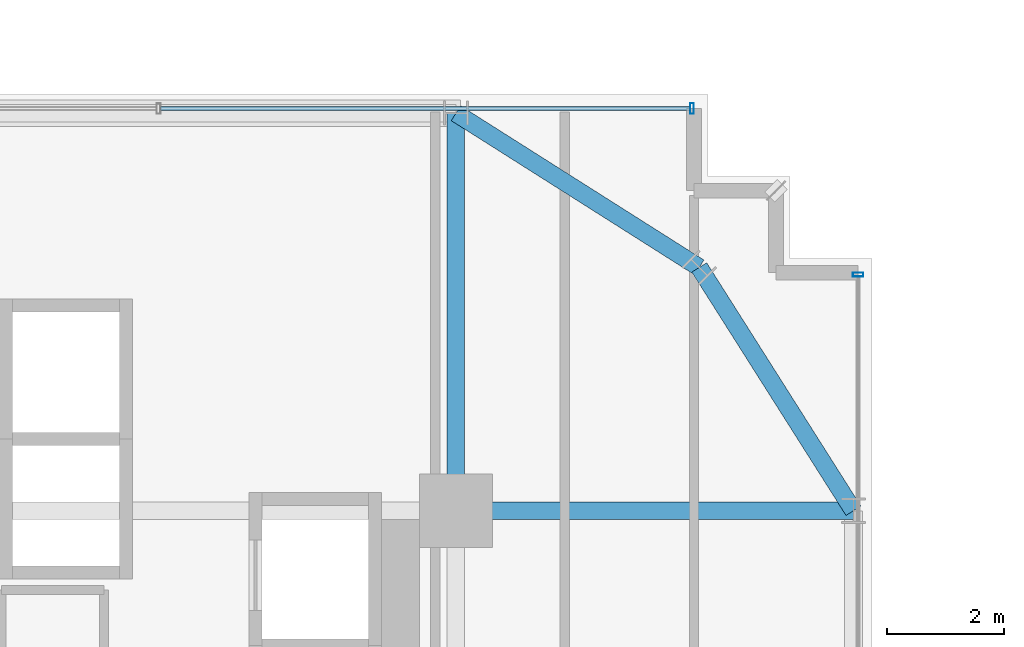
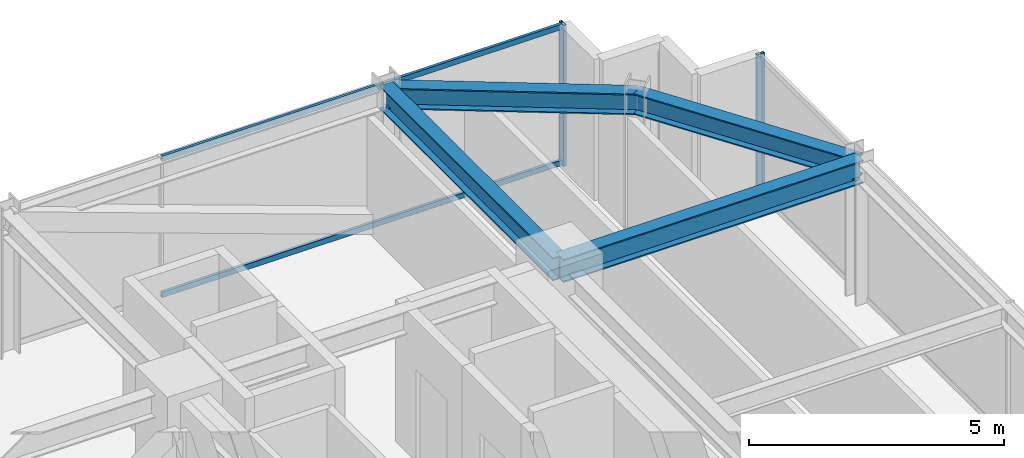
# One storey, part 25 of 41: 4 beams, 4 members, 2 elements without a shape of their own.
"""IFC4 building model written with IfcOpenShell, lengths in metres."""

from ifc_helpers import new_model, si_unit, direction, frame, origin, origin_2d, place, context, subcontext, project, spatial, hollow_rectangle, i_section, extrude, source, transform, mapped, material, material_profile, profile_set, type_object, element, aggregate, save


model = new_model("IFC4")

# Units and contexts
model_context = context("Model", 3, precision=1e-05, world=origin(), true_north=direction((0.0, 1.0)))
body_context = subcontext(model_context, "Body", "Model", "MODEL_VIEW")
ifc_project = project(units=[si_unit("LENGTHUNIT", "METRE"), si_unit("AREAUNIT", "SQUARE_METRE"), si_unit("VOLUMEUNIT", "CUBIC_METRE"), si_unit("PLANEANGLEUNIT", "RADIAN"), si_unit("MASSUNIT", "GRAM", prefix="KILO")], contexts=[model_context])

# Site, building, storey
site_placement = place(None, origin())
site = spatial("IfcSite", under=ifc_project, at=site_placement, CompositionType="ELEMENT")
building_placement = place(site_placement, origin())
building = spatial("IfcBuilding", under=site, at=building_placement, Name="Nahalor Promenade Grand Hotel", CompositionType="ELEMENT")
storey_placement = place(building_placement, frame((0.0, 0.0, 113.85009765625)))
storey = spatial("IfcBuildingStorey", under=building, at=storey_placement, Name="L28", CompositionType="ELEMENT", Elevation=113.85009765625)

# Beams
ifc_material_1 = material(Name="Steel S355JR", Category="steel")
ifc_material_profile_1 = material_profile(ifc_material_1, i_section(OverallWidth=0.3, OverallDepth=0.5, WebThickness=0.0145, FlangeThickness=0.028, at=origin_2d()), Name="HEB 500")
ifc_profile_set_1 = profile_set([ifc_material_profile_1], Name="Steel S355JR")
beam_type_1 = type_object("IfcBeamType", Name="Beam-Spandrel-HEB500", PredefinedType="SPANDREL", material=ifc_profile_set_1)
shared_shape_1 = source(origin(), body_context, "Body", "SweptSolid", [
    extrude(i_section(OverallWidth=0.3, OverallDepth=0.5, WebThickness=0.0145, FlangeThickness=0.028, at=origin_2d()), origin(), (0.0, 0.0, 1.0), 4.9130859375),
])
for number, where, z_axis, x_axis, name in (
    (1, (17.0, 23.780029296875, 3.1298828125), (0.844648325505, -0.535321591403, 0.0), (0.535321591403, 0.844648325505, 0.0), "BM-L28-SPC-NE-1"),
    (2, (21.14990234375, 21.14990234375, 3.1298828125), (0.535321591403, -0.844648325505, 0.0), (0.844648325505, 0.535321591403, 0.0), "BM-L28-SPC-NE-2"),
):
    element("IfcBeam", number, at=place(storey_placement, frame(where, z_axis=z_axis, x_axis=x_axis)), inside=storey, type_object=beam_type_1, Name=name, PredefinedType="SPANDREL", context=body_context, shape_type="MappedRepresentation", body=[
        mapped(shared_shape_1, transform((0.0, 0.0, 0.0), scale=1.0)),
    ])
ifc_material_profile_2 = material_profile(ifc_material_1, i_section(OverallWidth=0.3, OverallDepth=0.55, WebThickness=0.015, FlangeThickness=0.029, at=origin_2d()), Name="HEB 550")
ifc_profile_set_2 = profile_set([ifc_material_profile_2], Name="Steel S355JR")
beam_type_2 = type_object("IfcBeamType", Name="Beam-Girder-HEB550", PredefinedType="BEAM", material=ifc_profile_set_2)
shared_shape_2 = source(origin(), body_context, "Body", "SweptSolid", [
    extrude(i_section(OverallWidth=0.3, OverallDepth=0.55, WebThickness=0.015, FlangeThickness=0.029, at=origin_2d()), origin(), (0.0, 0.0, 1.0), 6.780029296875),
])
for number, where, z_axis, x_axis, name in (
    (3, (17.0, 17.0, 3.10498046875), (1.0, 0.0, 0.0), (0.0, 1.0, 0.0), "BM-L28-GX-3-6"),
    (4, (17.0, 17.0, 3.10498046875), (0.0, 1.0, 0.0), (-1.0, 0.0, 0.0), "BM-L28-GY-5-4"),
):
    element("IfcBeam", number, at=place(storey_placement, frame(where, z_axis=z_axis, x_axis=x_axis)), inside=storey, type_object=beam_type_2, Name=name, PredefinedType="BEAM", context=body_context, shape_type="MappedRepresentation", body=[
        mapped(shared_shape_2, transform((0.0, 0.0, 0.0), scale=1.0)),
    ])

# Curtain wall, member
ifc_material_2 = material(Name="Anodised Bronze Aluminium EN AW-6063 T6", Category="aluminium")
curtain_wall_type = type_object("IfcCurtainWallType", Name="CW2 Typical Hotel Flush Bronze Unitised Curtain Wall", PredefinedType="USERDEFINED", material=ifc_material_2)
curtain_wall_1_placement = place(storey_placement, origin())
curtain_wall_1 = element("IfcCurtainWall", 5, at=curtain_wall_1_placement, inside=storey, type_object=curtain_wall_type, Name="L28 Curtain Wall CW-L28-N-3", ObjectType="UNITISED_CURTAIN_WALL", PredefinedType="USERDEFINED")
ifc_material_profile_3 = material_profile(ifc_material_2, hollow_rectangle(XDim=0.065, YDim=0.18, WallThickness=0.004, at=origin_2d()), Name="CWM 65x180x4")
ifc_profile_set_3 = profile_set([ifc_material_profile_3], Name="Anodised Bronze Aluminium EN AW-6063 T6")
member_type_1 = type_object("IfcMemberType", Name="CWM2 Typical Bronze Mullion 65x180", PredefinedType="MULLION", material=ifc_profile_set_3)
shared_shape_3 = source(origin(), body_context, "Body", "SweptSolid", [
    extrude(hollow_rectangle(XDim=0.065, YDim=0.18, WallThickness=0.004, at=origin_2d()), origin(), (0.0, 0.0, 1.0), 3.3798828125),
])
member_1_placement = place(storey_placement, frame((21.027587890625, 23.860107421875, 0.0), z_axis=(0.0, 0.0, 1.0), x_axis=(1.0, 0.0, 0.0)))
member_1 = element("IfcMember", 6, at=member_1_placement, type_object=member_type_1, Name="CW-L28-N-3 Mullion 2", PredefinedType="MULLION", context=body_context, shape_type="MappedRepresentation", body=[
    mapped(shared_shape_3, transform((0.0, 0.0, 0.0), scale=1.0)),
])

curtain_wall_2_placement = place(storey_placement, origin())
curtain_wall_2 = element("IfcCurtainWall", 7, at=curtain_wall_2_placement, inside=storey, type_object=curtain_wall_type, Name="L28 Curtain Wall CW-L28-E-3", ObjectType="UNITISED_CURTAIN_WALL", PredefinedType="USERDEFINED")
member_2_placement = place(storey_placement, frame((23.860107421875, 21.027587890625, 0.0), z_axis=(0.0, 0.0, 1.0), x_axis=(0.0, 1.0, 0.0)))
member_2 = element("IfcMember", 8, at=member_2_placement, type_object=member_type_1, Name="CW-L28-E-3 Mullion 3", PredefinedType="MULLION", context=body_context, shape_type="MappedRepresentation", body=[
    mapped(shared_shape_3, transform((0.0, 0.0, 0.0), scale=1.0)),
])
aggregate(curtain_wall_2, [member_2])

# Member
ifc_material_profile_4 = material_profile(ifc_material_2, hollow_rectangle(XDim=0.065, YDim=0.13, WallThickness=0.004, at=origin_2d()), Name="CWT 65x130x4")
ifc_profile_set_4 = profile_set([ifc_material_profile_4], Name="Anodised Bronze Aluminium EN AW-6063 T6")
member_type_2 = type_object("IfcMemberType", Name="CWT2 Typical Bronze Transom 65x130", PredefinedType="USERDEFINED", material=ifc_profile_set_4)
shared_shape_4 = source(origin(), body_context, "Body", "SweptSolid", [
    extrude(hollow_rectangle(XDim=0.065, YDim=0.13, WallThickness=0.004, at=origin_2d()), origin(), (0.0, 0.0, 1.0), 9.03271484375),
])
member_3_placement = place(storey_placement, frame((11.96240234375, 23.860107421875, 0.06494140625), z_axis=(1.0, 0.0, 0.0), x_axis=(0.0, 1.0, 0.0)))
member_3 = element("IfcMember", 9, at=member_3_placement, type_object=member_type_2, Name="CW-L28-N-3 Transom 1-0", ObjectType="TRANSOM", PredefinedType="USERDEFINED", context=body_context, shape_type="MappedRepresentation", body=[
    mapped(shared_shape_4, transform((0.0, 0.0, 0.0), scale=1.0)),
])

member_4_placement = place(storey_placement, frame((11.96240234375, 23.860107421875, 3.31494140625), z_axis=(1.0, 0.0, 0.0), x_axis=(0.0, 1.0, 0.0)))
member_4 = element("IfcMember", 10, at=member_4_placement, type_object=member_type_2, Name="CW-L28-N-3 Transom 1-1", ObjectType="TRANSOM", PredefinedType="USERDEFINED", context=body_context, shape_type="MappedRepresentation", body=[
    mapped(shared_shape_4, transform((0.0, 0.0, 0.0), scale=1.0)),
])

aggregate(curtain_wall_1, [member_1, member_3, member_4])

save(model, "model.ifc")
